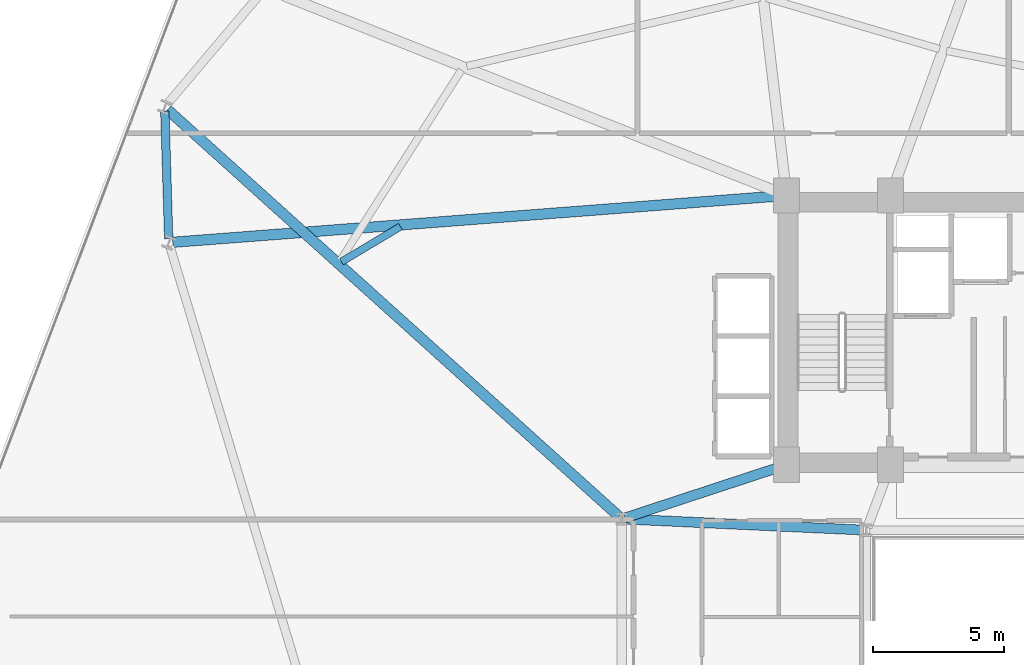
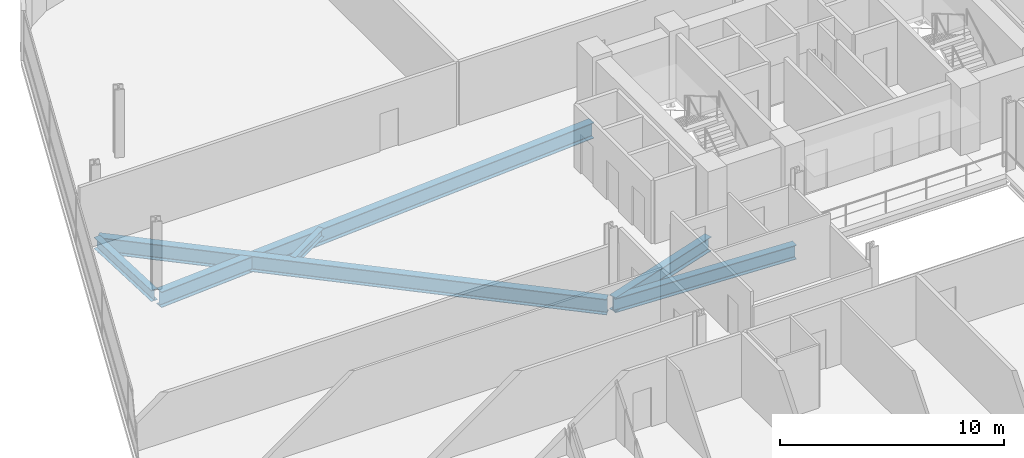
# One storey, part 7 of 25: 6 beams.
"""IFC4 building model written with IfcOpenShell, lengths in metres."""

from ifc_helpers import new_model, si_unit, direction, frame, origin, origin_2d, place, context, subcontext, project, spatial, i_section, extrude, material, material_profile, profile_set, type_object, element, save


model = new_model("IFC4")

# Units and contexts
model_context = context("Model", 3, precision=1e-05, world=origin(), true_north=direction((0.0, 1.0)))
body_context = subcontext(model_context, "Body", "Model", "MODEL_VIEW")
ifc_project = project(units=[si_unit("LENGTHUNIT", "METRE"), si_unit("AREAUNIT", "SQUARE_METRE"), si_unit("VOLUMEUNIT", "CUBIC_METRE"), si_unit("PLANEANGLEUNIT", "RADIAN"), si_unit("MASSUNIT", "GRAM", prefix="KILO")], contexts=[model_context])

# Site, building, storey
site_placement = place(None, origin())
site = spatial("IfcSite", under=ifc_project, at=site_placement, CompositionType="ELEMENT")
building_placement = place(site_placement, origin())
building = spatial("IfcBuilding", under=site, at=building_placement, Name="Varnelok Gate Tower", CompositionType="ELEMENT")
storey_placement = place(building_placement, frame((0.0, 0.0, 79.89990234375)))
storey = spatial("IfcBuildingStorey", under=building, at=storey_placement, Name="L19", CompositionType="ELEMENT", Elevation=79.89990234375)

# Beams
ifc_material = material(Name="Structural Steel ASTM A992 Grade 50", Category="steel")
ifc_material_profile_1 = material_profile(ifc_material, i_section(OverallWidth=0.280029296875, OverallDepth=0.462890625, WebThickness=0.0107421875, FlangeThickness=0.017333984375, FilletRadius=0.014892578125, at=origin_2d()), Name="W18X76")
ifc_profile_set_1 = profile_set([ifc_material_profile_1], Name="Structural Steel ASTM A992 Grade 50")
beam_type_1 = type_object("IfcBeamType", Name="BM-JST-W18X76", PredefinedType="JOIST", material=ifc_profile_set_1)
beam_1_placement = place(storey_placement, frame((13.684814453125, 36.51513671875, -0.4814453125), z_axis=(0.858542699805, 0.512742072208, 0.0), x_axis=(-0.512742072208, 0.858542699805, 0.0)))
element("IfcBeam", 1, at=beam_1_placement, inside=storey, type_object=beam_type_1, Name="L19 Sector Floor Joist 13", PredefinedType="JOIST", context=body_context, shape_type="SweptSolid", body=[
    extrude(i_section(OverallWidth=0.280029296875, OverallDepth=0.462890625, WebThickness=0.0107421875, FlangeThickness=0.017333984375, FilletRadius=0.014892578125, at=origin_2d()), origin(), (0.0, 0.0, 1.0), 2.6220703125),
])
ifc_material_profile_2 = material_profile(ifc_material, i_section(OverallWidth=0.381103515625, OverallDepth=0.77294921875, WebThickness=0.0166015625, FlangeThickness=0.027099609375, FilletRadius=0.02197265625, at=origin_2d()), Name="W30X173")
ifc_profile_set_2 = profile_set([ifc_material_profile_2], Name="Structural Steel ASTM A992 Grade 50")
beam_type_2 = type_object("IfcBeamType", Name="BM-PRI-W30X173", PredefinedType="BEAM", material=ifc_profile_set_2)
beam_2_placement = place(storey_placement, frame((24.52001953125, 26.674560546875, -0.636474609375), z_axis=(0.99894427814, -0.045938319209, 0.0), x_axis=(0.045938319209, 0.99894427814, 0.0)))
element("IfcBeam", 2, at=beam_2_placement, inside=storey, type_object=beam_type_2, Name="L19 Core-Atrium Spine Beam 15", PredefinedType="BEAM", context=body_context, shape_type="SweptSolid", body=[
    extrude(i_section(OverallWidth=0.381103515625, OverallDepth=0.77294921875, WebThickness=0.0166015625, FlangeThickness=0.027099609375, FilletRadius=0.02197265625, at=origin_2d()), origin(), (0.0, 0.0, 1.0), 9.11962890625),
])
beam_3_placement = place(storey_placement, frame((24.513916015625, 26.717529296875, -0.636474609375), z_axis=(0.950041943788, 0.312122259768, 0.0), x_axis=(-0.312122259768, 0.950041943788, 0.0)))
element("IfcBeam", 3, at=beam_3_placement, inside=storey, type_object=beam_type_2, Name="L19 Core-Atrium Spine Beam 17", PredefinedType="BEAM", context=body_context, shape_type="SweptSolid", body=[
    extrude(i_section(OverallWidth=0.381103515625, OverallDepth=0.77294921875, WebThickness=0.0166015625, FlangeThickness=0.027099609375, FilletRadius=0.02197265625, at=origin_2d()), origin(), (0.0, 0.0, 1.0), 6.391357421875),
])
ifc_material_profile_3 = material_profile(ifc_material, i_section(OverallWidth=0.39892578125, OverallDepth=0.85498046875, WebThickness=0.018310546875, FlangeThickness=0.029296875, FilletRadius=0.02392578125, at=origin_2d()), Name="W33X201")
ifc_profile_set_3 = profile_set([ifc_material_profile_3], Name="Structural Steel ASTM A992 Grade 50")
beam_type_3 = type_object("IfcBeamType", Name="BM-PRI-W33X201", PredefinedType="BEAM", material=ifc_profile_set_3)
beam_4_placement = place(storey_placement, frame((24.28857421875, 26.780517578125, -0.677490234375), z_axis=(-0.742906696972, 0.669394980258, 0.0), x_axis=(-0.669394980258, -0.742906696972, 0.0)))
element("IfcBeam", 4, at=beam_4_placement, inside=storey, type_object=beam_type_3, Name="L19 Radial Floor Girder 15", PredefinedType="BEAM", context=body_context, shape_type="SweptSolid", body=[
    extrude(i_section(OverallWidth=0.39892578125, OverallDepth=0.85498046875, WebThickness=0.018310546875, FlangeThickness=0.029296875, FilletRadius=0.02392578125, at=origin_2d()), origin(), (0.0, 0.0, 1.0), 23.224609375),
])
beam_5_placement = place(storey_placement, frame((30.55029296875, 39.03857421875, -0.677490234375), z_axis=(-0.997095422745, -0.076162444427, 0.0), x_axis=(0.076162444427, -0.997095422745, 0.0)))
element("IfcBeam", 5, at=beam_5_placement, inside=storey, type_object=beam_type_3, Name="L19 Radial Floor Girder 16", PredefinedType="BEAM", context=body_context, shape_type="SweptSolid", body=[
    extrude(i_section(OverallWidth=0.39892578125, OverallDepth=0.85498046875, WebThickness=0.018310546875, FlangeThickness=0.029296875, FilletRadius=0.02392578125, at=origin_2d()), origin(), (0.0, 0.0, 1.0), 23.387451171875),
])
ifc_material_profile_4 = material_profile(ifc_material, i_section(OverallWidth=0.323974609375, OverallDepth=0.611083984375, WebThickness=0.0126953125, FlangeThickness=0.01904296875, FilletRadius=0.01806640625, at=origin_2d()), Name="W24X104")
ifc_profile_set_4 = profile_set([ifc_material_profile_4], Name="Structural Steel ASTM A992 Grade 50")
beam_type_4 = type_object("IfcBeamType", Name="BM-SPN-W24X104", PredefinedType="SPANDREL", material=ifc_profile_set_4)
beam_6_placement = place(storey_placement, frame((6.927978515625, 42.277587890625, -0.555419921875), z_axis=(0.030393553869, -0.999538009224, 0.0), x_axis=(0.999538009224, 0.030393553869, 0.0)))
element("IfcBeam", 6, at=beam_6_placement, inside=storey, type_object=beam_type_4, Name="L19 Perimeter Spandrel Beam 15", PredefinedType="SPANDREL", context=body_context, shape_type="SweptSolid", body=[
    extrude(i_section(OverallWidth=0.323974609375, OverallDepth=0.611083984375, WebThickness=0.0126953125, FlangeThickness=0.01904296875, FilletRadius=0.01806640625, at=origin_2d()), origin(), (0.0, 0.0, 1.0), 4.8837890625),
])

save(model, "model.ifc")
